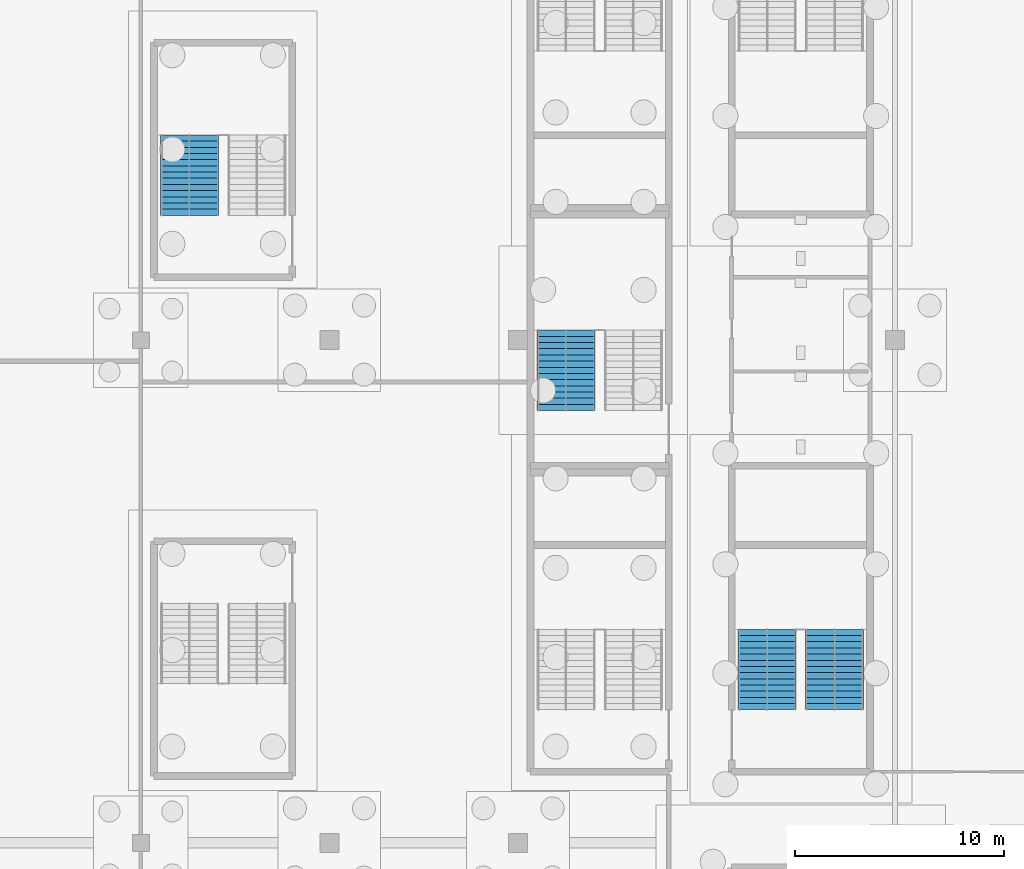
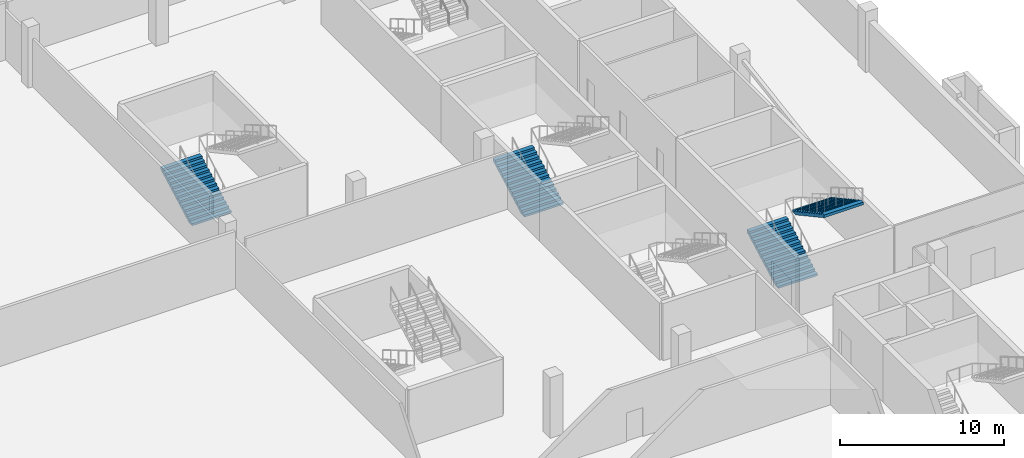
# One storey, part 36 of 46: 4 stair flights, 3 elements without a shape of their own.
"""IFC4 building model written with IfcOpenShell, lengths in metres."""

from ifc_helpers import new_model, si_unit, direction, frame, origin, place, context, subcontext, project, spatial, polygons, material, type_object, element, aggregate, save


model = new_model("IFC4")

# Units and contexts
model_context = context("Model", 3, precision=1e-05, world=origin(), true_north=direction((0.0, 1.0)))
body_context = subcontext(model_context, "Body", "Model", "MODEL_VIEW")
ifc_project = project(units=[si_unit("LENGTHUNIT", "METRE"), si_unit("AREAUNIT", "SQUARE_METRE"), si_unit("VOLUMEUNIT", "CUBIC_METRE"), si_unit("PLANEANGLEUNIT", "RADIAN"), si_unit("MASSUNIT", "GRAM", prefix="KILO")], contexts=[model_context])

# Site, building, storey
site_placement = place(None, origin())
site = spatial("IfcSite", under=ifc_project, at=site_placement, CompositionType="ELEMENT")
building_placement = place(site_placement, origin())
building = spatial("IfcBuilding", under=site, at=building_placement, Name="Kisiwana Market Hall", CompositionType="ELEMENT")
storey_placement = place(building_placement, frame((0.0, 0.0, -4.5)))
storey = spatial("IfcBuildingStorey", under=building, at=storey_placement, Name="B1", CompositionType="ELEMENT", Elevation=-4.5)

# Stair, stair flights
ifc_material_1 = material(Name="Concrete C32/40", Category="concrete")
stair_type = type_object("IfcStairType", Name="ST-ESC-4500", PredefinedType="TWO_STRAIGHT_RUN_STAIR", material=ifc_material_1)
stair_1_placement = place(storey_placement, origin())
stair_1 = element("IfcStair", 1, at=stair_1_placement, inside=storey, type_object=stair_type, Name="Escape stair ST-E3-B1", PredefinedType="TWO_STRAIGHT_RUN_STAIR")
ifc_material_2 = material(Name="Concrete C32/40", Category="concrete")
stair_flight_type = type_object("IfcStairFlightType", Name="SF-ESC-4500", PredefinedType="STRAIGHT", material=ifc_material_2)
stair_flight_1_placement = place(storey_placement, frame((182.889892578125, 42.360107421875, 0.0), z_axis=(0.0, 0.0, 1.0), x_axis=(0.0, 1.0, 0.0)))
stair_flight_1 = element("IfcStairFlight", 2, at=stair_flight_1_placement, type_object=stair_flight_type, Name="ST-E3-B1 flight 1", NumberOfRisers=14, NumberOfTreads=13, PredefinedType="STRAIGHT", RiserHeight=0.160714, TreadLength=0.295, context=body_context, shape_type="Tessellation", body=[
    polygons([(0.0, -1.380127, 0.0), (0.0, -0.690125, 0.0), (0.0, -0.000122, 0.0), (0.0, 0.68988, 0.0), (0.0, 1.379883, 0.0), (0.0, -1.380127, 0.160645), (0.0, -0.690125, 0.160645), (0.0, -0.000122, 0.160645), (0.0, 0.68988, 0.160645), (0.0, 1.379883, 0.160645), (0.294922, -1.380127, 0.160645), (0.294922, -0.690125, 0.160645), (0.294922, -0.000122, 0.160645), (0.294922, 0.68988, 0.160645), (0.294922, 1.379883, 0.160645), (0.294922, -1.380127, 0.321533), (0.294922, -0.690125, 0.321533), (0.294922, -0.000122, 0.321533), (0.294922, 0.68988, 0.321533), (0.294922, 1.379883, 0.321533), (0.590088, -1.380127, 0.321533), (0.590088, -0.690125, 0.321533), (0.590088, -0.000122, 0.321533), (0.590088, 0.68988, 0.321533), (0.590088, 1.379883, 0.321533), (0.590088, -1.380127, 0.482178), (0.590088, -0.690125, 0.482178), (0.590088, -0.000122, 0.482178), (0.590088, 0.68988, 0.482178), (0.590088, 1.379883, 0.482178), (0.88501, -1.380127, 0.482178), (0.88501, -0.690125, 0.482178), (0.88501, -0.000122, 0.482178), (0.88501, 0.68988, 0.482178), (0.88501, 1.379883, 0.482178), (0.88501, -1.380127, 0.642822), (0.88501, -0.690125, 0.642822), (0.88501, -0.000122, 0.642822), (0.88501, 0.68988, 0.642822), (0.88501, 1.379883, 0.642822), (1.179932, -1.380127, 0.642822), (1.179932, -0.690125, 0.642822), (1.179932, -0.000122, 0.642822), (1.179932, 0.68988, 0.642822), (1.179932, 1.379883, 0.642822), (1.179932, -1.380127, 0.803467), (1.179932, -0.690125, 0.803467), (1.179932, -0.000122, 0.803467), (1.179932, 0.68988, 0.803467), (1.179932, 1.379883, 0.803467), (1.475098, -1.380127, 0.803467), (1.475098, -0.690125, 0.803467), (1.475098, -0.000122, 0.803467), (1.475098, 0.68988, 0.803467), (1.475098, 1.379883, 0.803467), (1.475098, -1.380127, 0.964355), (1.475098, -0.690125, 0.964355), (1.475098, -0.000122, 0.964355), (1.475098, 0.68988, 0.964355), (1.475098, 1.379883, 0.964355), (1.77002, -1.380127, 0.964355), (1.77002, -0.690125, 0.964355), (1.77002, -0.000122, 0.964355), (1.77002, 0.68988, 0.964355), (1.77002, 1.379883, 0.964355), (1.77002, -1.380127, 1.125), (1.77002, -0.690125, 1.125), (1.77002, -0.000122, 1.125), (1.77002, 0.68988, 1.125), (1.77002, 1.379883, 1.125), (2.064941, -1.380127, 1.125), (2.064941, -0.690125, 1.125), (2.064941, -0.000122, 1.125), (2.064941, 0.68988, 1.125), (2.064941, 1.379883, 1.125), (2.064941, -1.380127, 1.285645), (2.064941, -0.690125, 1.285645), (2.064941, -0.000122, 1.285645), (2.064941, 0.68988, 1.285645), (2.064941, 1.379883, 1.285645), (2.360107, -1.380127, 1.285645), (2.360107, -0.690125, 1.285645), (2.360107, -0.000122, 1.285645), (2.360107, 0.68988, 1.285645), (2.360107, 1.379883, 1.285645), (2.360107, -1.380127, 1.446533), (2.360107, -0.690125, 1.446533), (2.360107, -0.000122, 1.446533), (2.360107, 0.68988, 1.446533), (2.360107, 1.379883, 1.446533), (2.655029, -1.380127, 1.446533), (2.655029, -0.690125, 1.446533), (2.655029, -0.000122, 1.446533), (2.655029, 0.68988, 1.446533), (2.655029, 1.379883, 1.446533), (2.655029, -1.380127, 1.607178), (2.655029, -0.690125, 1.607178), (2.655029, -0.000122, 1.607178), (2.655029, 0.68988, 1.607178), (2.655029, 1.379883, 1.607178), (2.949951, -1.380127, 1.607178), (2.949951, -0.690125, 1.607178), (2.949951, -0.000122, 1.607178), (2.949951, 0.68988, 1.607178), (2.949951, 1.379883, 1.607178), (2.949951, -1.380127, 1.767822), (2.949951, -0.690125, 1.767822), (2.949951, -0.000122, 1.767822), (2.949951, 0.68988, 1.767822), (2.949951, 1.379883, 1.767822), (3.245117, -1.380127, 1.767822), (3.245117, -0.690125, 1.767822), (3.245117, -0.000122, 1.767822), (3.245117, 0.68988, 1.767822), (3.245117, 1.379883, 1.767822), (3.245117, -1.380127, 1.928467), (3.245117, -0.690125, 1.928467), (3.245117, -0.000122, 1.928467), (3.245117, 0.68988, 1.928467), (3.245117, 1.379883, 1.928467), (3.540039, -1.380127, 1.928467), (3.540039, -0.690125, 1.928467), (3.540039, -0.000122, 1.928467), (3.540039, 0.68988, 1.928467), (3.540039, 1.379883, 1.928467), (3.540039, -1.380127, 2.089355), (3.540039, -0.690125, 2.089355), (3.540039, -0.000122, 2.089355), (3.540039, 0.68988, 2.089355), (3.540039, 1.379883, 2.089355), (3.834961, -1.380127, 2.089355), (3.834961, -0.690125, 2.089355), (3.834961, -0.000122, 2.089355), (3.834961, 0.68988, 2.089355), (3.834961, 1.379883, 2.089355), (3.834961, -1.380127, 1.884277), (3.834961, -0.690125, 1.884277), (3.834961, -0.000122, 1.884277), (3.834961, 0.68988, 1.884277), (3.834961, 1.379883, 1.884277), (0.376221, -1.380127, 0.0), (0.376221, -0.690125, 0.0), (0.376221, -0.000122, 0.0), (0.376221, 0.68988, 0.0), (0.376221, 1.379883, 0.0)], [[[1, 6, 7, 2]], [[2, 7, 8, 3]], [[3, 8, 9, 4]], [[4, 9, 10, 5]], [[6, 11, 12, 7]], [[7, 12, 13, 8]], [[8, 13, 14, 9]], [[9, 14, 15, 10]], [[11, 16, 17, 12]], [[12, 17, 18, 13]], [[13, 18, 19, 14]], [[14, 19, 20, 15]], [[16, 21, 22, 17]], [[17, 22, 23, 18]], [[18, 23, 24, 19]], [[19, 24, 25, 20]], [[21, 26, 27, 22]], [[22, 27, 28, 23]], [[23, 28, 29, 24]], [[24, 29, 30, 25]], [[26, 31, 32, 27]], [[27, 32, 33, 28]], [[28, 33, 34, 29]], [[29, 34, 35, 30]], [[31, 36, 37, 32]], [[32, 37, 38, 33]], [[33, 38, 39, 34]], [[34, 39, 40, 35]], [[36, 41, 42, 37]], [[37, 42, 43, 38]], [[38, 43, 44, 39]], [[39, 44, 45, 40]], [[41, 46, 47, 42]], [[42, 47, 48, 43]], [[43, 48, 49, 44]], [[44, 49, 50, 45]], [[46, 51, 52, 47]], [[47, 52, 53, 48]], [[48, 53, 54, 49]], [[49, 54, 55, 50]], [[51, 56, 57, 52]], [[52, 57, 58, 53]], [[53, 58, 59, 54]], [[54, 59, 60, 55]], [[56, 61, 62, 57]], [[57, 62, 63, 58]], [[58, 63, 64, 59]], [[59, 64, 65, 60]], [[61, 66, 67, 62]], [[62, 67, 68, 63]], [[63, 68, 69, 64]], [[64, 69, 70, 65]], [[66, 71, 72, 67]], [[67, 72, 73, 68]], [[68, 73, 74, 69]], [[69, 74, 75, 70]], [[71, 76, 77, 72]], [[72, 77, 78, 73]], [[73, 78, 79, 74]], [[74, 79, 80, 75]], [[76, 81, 82, 77]], [[77, 82, 83, 78]], [[78, 83, 84, 79]], [[79, 84, 85, 80]], [[81, 86, 87, 82]], [[82, 87, 88, 83]], [[83, 88, 89, 84]], [[84, 89, 90, 85]], [[86, 91, 92, 87]], [[87, 92, 93, 88]], [[88, 93, 94, 89]], [[89, 94, 95, 90]], [[91, 96, 97, 92]], [[92, 97, 98, 93]], [[93, 98, 99, 94]], [[94, 99, 100, 95]], [[96, 101, 102, 97]], [[97, 102, 103, 98]], [[98, 103, 104, 99]], [[99, 104, 105, 100]], [[101, 106, 107, 102]], [[102, 107, 108, 103]], [[103, 108, 109, 104]], [[104, 109, 110, 105]], [[106, 111, 112, 107]], [[107, 112, 113, 108]], [[108, 113, 114, 109]], [[109, 114, 115, 110]], [[111, 116, 117, 112]], [[112, 117, 118, 113]], [[113, 118, 119, 114]], [[114, 119, 120, 115]], [[116, 121, 122, 117]], [[117, 122, 123, 118]], [[118, 123, 124, 119]], [[119, 124, 125, 120]], [[121, 126, 127, 122]], [[122, 127, 128, 123]], [[123, 128, 129, 124]], [[124, 129, 130, 125]], [[126, 131, 132, 127]], [[127, 132, 133, 128]], [[128, 133, 134, 129]], [[129, 134, 135, 130]], [[131, 136, 137, 132]], [[132, 137, 138, 133]], [[133, 138, 139, 134]], [[134, 139, 140, 135]], [[136, 141, 142, 137]], [[137, 142, 143, 138]], [[138, 143, 144, 139]], [[139, 144, 145, 140]], [[141, 1, 2, 142]], [[142, 2, 3, 143]], [[143, 3, 4, 144]], [[144, 4, 5, 145]], [[141, 136, 131, 126, 121, 116, 111, 106, 101, 96, 91, 86, 81, 76, 71, 66, 61, 56, 51, 46, 41, 36, 31, 26, 21, 16, 11, 6, 1]], [[5, 10, 15, 20, 25, 30, 35, 40, 45, 50, 55, 60, 65, 70, 75, 80, 85, 90, 95, 100, 105, 110, 115, 120, 125, 130, 135, 140, 145]]], closed=True),
])
stair_flight_2_placement = place(storey_placement, frame((186.110107421875, 46.195068359375, 2.25), z_axis=(0.0, 0.0, 1.0), x_axis=(0.0, -1.0, 0.0)))
stair_flight_2 = element("IfcStairFlight", 3, at=stair_flight_2_placement, type_object=stair_flight_type, Name="ST-E3-B1 flight 2", NumberOfRisers=14, NumberOfTreads=13, PredefinedType="STRAIGHT", RiserHeight=0.160714, TreadLength=0.295, context=body_context, shape_type="Tessellation", body=[
    polygons([(0.0, -1.380127, 0.0), (0.0, -0.690125, 0.0), (0.0, -0.000122, 0.0), (0.0, 0.68988, 0.0), (0.0, 1.379883, 0.0), (0.0, -1.380127, 0.160645), (0.0, -0.690125, 0.160645), (0.0, -0.000122, 0.160645), (0.0, 0.68988, 0.160645), (0.0, 1.379883, 0.160645), (0.294922, -1.380127, 0.160645), (0.294922, -0.690125, 0.160645), (0.294922, -0.000122, 0.160645), (0.294922, 0.68988, 0.160645), (0.294922, 1.379883, 0.160645), (0.294922, -1.380127, 0.321533), (0.294922, -0.690125, 0.321533), (0.294922, -0.000122, 0.321533), (0.294922, 0.68988, 0.321533), (0.294922, 1.379883, 0.321533), (0.590088, -1.380127, 0.321533), (0.590088, -0.690125, 0.321533), (0.590088, -0.000122, 0.321533), (0.590088, 0.68988, 0.321533), (0.590088, 1.379883, 0.321533), (0.590088, -1.380127, 0.482178), (0.590088, -0.690125, 0.482178), (0.590088, -0.000122, 0.482178), (0.590088, 0.68988, 0.482178), (0.590088, 1.379883, 0.482178), (0.88501, -1.380127, 0.482178), (0.88501, -0.690125, 0.482178), (0.88501, -0.000122, 0.482178), (0.88501, 0.68988, 0.482178), (0.88501, 1.379883, 0.482178), (0.88501, -1.380127, 0.642822), (0.88501, -0.690125, 0.642822), (0.88501, -0.000122, 0.642822), (0.88501, 0.68988, 0.642822), (0.88501, 1.379883, 0.642822), (1.179932, -1.380127, 0.642822), (1.179932, -0.690125, 0.642822), (1.179932, -0.000122, 0.642822), (1.179932, 0.68988, 0.642822), (1.179932, 1.379883, 0.642822), (1.179932, -1.380127, 0.803467), (1.179932, -0.690125, 0.803467), (1.179932, -0.000122, 0.803467), (1.179932, 0.68988, 0.803467), (1.179932, 1.379883, 0.803467), (1.475098, -1.380127, 0.803467), (1.475098, -0.690125, 0.803467), (1.475098, -0.000122, 0.803467), (1.475098, 0.68988, 0.803467), (1.475098, 1.379883, 0.803467), (1.475098, -1.380127, 0.964355), (1.475098, -0.690125, 0.964355), (1.475098, -0.000122, 0.964355), (1.475098, 0.68988, 0.964355), (1.475098, 1.379883, 0.964355), (1.77002, -1.380127, 0.964355), (1.77002, -0.690125, 0.964355), (1.77002, -0.000122, 0.964355), (1.77002, 0.68988, 0.964355), (1.77002, 1.379883, 0.964355), (1.77002, -1.380127, 1.125), (1.77002, -0.690125, 1.125), (1.77002, -0.000122, 1.125), (1.77002, 0.68988, 1.125), (1.77002, 1.379883, 1.125), (2.064941, -1.380127, 1.125), (2.064941, -0.690125, 1.125), (2.064941, -0.000122, 1.125), (2.064941, 0.68988, 1.125), (2.064941, 1.379883, 1.125), (2.064941, -1.380127, 1.285645), (2.064941, -0.690125, 1.285645), (2.064941, -0.000122, 1.285645), (2.064941, 0.68988, 1.285645), (2.064941, 1.379883, 1.285645), (2.360107, -1.380127, 1.285645), (2.360107, -0.690125, 1.285645), (2.360107, -0.000122, 1.285645), (2.360107, 0.68988, 1.285645), (2.360107, 1.379883, 1.285645), (2.360107, -1.380127, 1.446533), (2.360107, -0.690125, 1.446533), (2.360107, -0.000122, 1.446533), (2.360107, 0.68988, 1.446533), (2.360107, 1.379883, 1.446533), (2.655029, -1.380127, 1.446533), (2.655029, -0.690125, 1.446533), (2.655029, -0.000122, 1.446533), (2.655029, 0.68988, 1.446533), (2.655029, 1.379883, 1.446533), (2.655029, -1.380127, 1.607178), (2.655029, -0.690125, 1.607178), (2.655029, -0.000122, 1.607178), (2.655029, 0.68988, 1.607178), (2.655029, 1.379883, 1.607178), (2.949951, -1.380127, 1.607178), (2.949951, -0.690125, 1.607178), (2.949951, -0.000122, 1.607178), (2.949951, 0.68988, 1.607178), (2.949951, 1.379883, 1.607178), (2.949951, -1.380127, 1.767822), (2.949951, -0.690125, 1.767822), (2.949951, -0.000122, 1.767822), (2.949951, 0.68988, 1.767822), (2.949951, 1.379883, 1.767822), (3.245117, -1.380127, 1.767822), (3.245117, -0.690125, 1.767822), (3.245117, -0.000122, 1.767822), (3.245117, 0.68988, 1.767822), (3.245117, 1.379883, 1.767822), (3.245117, -1.380127, 1.928467), (3.245117, -0.690125, 1.928467), (3.245117, -0.000122, 1.928467), (3.245117, 0.68988, 1.928467), (3.245117, 1.379883, 1.928467), (3.540039, -1.380127, 1.928467), (3.540039, -0.690125, 1.928467), (3.540039, -0.000122, 1.928467), (3.540039, 0.68988, 1.928467), (3.540039, 1.379883, 1.928467), (3.540039, -1.380127, 2.089355), (3.540039, -0.690125, 2.089355), (3.540039, -0.000122, 2.089355), (3.540039, 0.68988, 2.089355), (3.540039, 1.379883, 2.089355), (3.834961, -1.380127, 2.089355), (3.834961, -0.690125, 2.089355), (3.834961, -0.000122, 2.089355), (3.834961, 0.68988, 2.089355), (3.834961, 1.379883, 2.089355), (3.834961, -1.380127, 1.884277), (3.834961, -0.690125, 1.884277), (3.834961, -0.000122, 1.884277), (3.834961, 0.68988, 1.884277), (3.834961, 1.379883, 1.884277), (0.376221, -1.380127, 0.0), (0.376221, -0.690125, 0.0), (0.376221, -0.000122, 0.0), (0.376221, 0.68988, 0.0), (0.376221, 1.379883, 0.0)], [[[1, 6, 7, 2]], [[2, 7, 8, 3]], [[3, 8, 9, 4]], [[4, 9, 10, 5]], [[6, 11, 12, 7]], [[7, 12, 13, 8]], [[8, 13, 14, 9]], [[9, 14, 15, 10]], [[11, 16, 17, 12]], [[12, 17, 18, 13]], [[13, 18, 19, 14]], [[14, 19, 20, 15]], [[16, 21, 22, 17]], [[17, 22, 23, 18]], [[18, 23, 24, 19]], [[19, 24, 25, 20]], [[21, 26, 27, 22]], [[22, 27, 28, 23]], [[23, 28, 29, 24]], [[24, 29, 30, 25]], [[26, 31, 32, 27]], [[27, 32, 33, 28]], [[28, 33, 34, 29]], [[29, 34, 35, 30]], [[31, 36, 37, 32]], [[32, 37, 38, 33]], [[33, 38, 39, 34]], [[34, 39, 40, 35]], [[36, 41, 42, 37]], [[37, 42, 43, 38]], [[38, 43, 44, 39]], [[39, 44, 45, 40]], [[41, 46, 47, 42]], [[42, 47, 48, 43]], [[43, 48, 49, 44]], [[44, 49, 50, 45]], [[46, 51, 52, 47]], [[47, 52, 53, 48]], [[48, 53, 54, 49]], [[49, 54, 55, 50]], [[51, 56, 57, 52]], [[52, 57, 58, 53]], [[53, 58, 59, 54]], [[54, 59, 60, 55]], [[56, 61, 62, 57]], [[57, 62, 63, 58]], [[58, 63, 64, 59]], [[59, 64, 65, 60]], [[61, 66, 67, 62]], [[62, 67, 68, 63]], [[63, 68, 69, 64]], [[64, 69, 70, 65]], [[66, 71, 72, 67]], [[67, 72, 73, 68]], [[68, 73, 74, 69]], [[69, 74, 75, 70]], [[71, 76, 77, 72]], [[72, 77, 78, 73]], [[73, 78, 79, 74]], [[74, 79, 80, 75]], [[76, 81, 82, 77]], [[77, 82, 83, 78]], [[78, 83, 84, 79]], [[79, 84, 85, 80]], [[81, 86, 87, 82]], [[82, 87, 88, 83]], [[83, 88, 89, 84]], [[84, 89, 90, 85]], [[86, 91, 92, 87]], [[87, 92, 93, 88]], [[88, 93, 94, 89]], [[89, 94, 95, 90]], [[91, 96, 97, 92]], [[92, 97, 98, 93]], [[93, 98, 99, 94]], [[94, 99, 100, 95]], [[96, 101, 102, 97]], [[97, 102, 103, 98]], [[98, 103, 104, 99]], [[99, 104, 105, 100]], [[101, 106, 107, 102]], [[102, 107, 108, 103]], [[103, 108, 109, 104]], [[104, 109, 110, 105]], [[106, 111, 112, 107]], [[107, 112, 113, 108]], [[108, 113, 114, 109]], [[109, 114, 115, 110]], [[111, 116, 117, 112]], [[112, 117, 118, 113]], [[113, 118, 119, 114]], [[114, 119, 120, 115]], [[116, 121, 122, 117]], [[117, 122, 123, 118]], [[118, 123, 124, 119]], [[119, 124, 125, 120]], [[121, 126, 127, 122]], [[122, 127, 128, 123]], [[123, 128, 129, 124]], [[124, 129, 130, 125]], [[126, 131, 132, 127]], [[127, 132, 133, 128]], [[128, 133, 134, 129]], [[129, 134, 135, 130]], [[131, 136, 137, 132]], [[132, 137, 138, 133]], [[133, 138, 139, 134]], [[134, 139, 140, 135]], [[136, 141, 142, 137]], [[137, 142, 143, 138]], [[138, 143, 144, 139]], [[139, 144, 145, 140]], [[141, 1, 2, 142]], [[142, 2, 3, 143]], [[143, 3, 4, 144]], [[144, 4, 5, 145]], [[141, 136, 131, 126, 121, 116, 111, 106, 101, 96, 91, 86, 81, 76, 71, 66, 61, 56, 51, 46, 41, 36, 31, 26, 21, 16, 11, 6, 1]], [[5, 10, 15, 20, 25, 30, 35, 40, 45, 50, 55, 60, 65, 70, 75, 80, 85, 90, 95, 100, 105, 110, 115, 120, 125, 130, 135, 140, 145]]], closed=True),
])
aggregate(stair_1, [stair_flight_1, stair_flight_2])

# Stair, stair flight
stair_2_placement = place(storey_placement, origin())
stair_2 = element("IfcStair", 4, at=stair_2_placement, inside=storey, type_object=stair_type, Name="Escape stair ST-E10-B1", PredefinedType="TWO_STRAIGHT_RUN_STAIR")
stair_flight_3_placement = place(storey_placement, frame((155.320068359375, 65.9599609375, 0.0), z_axis=(0.0, 0.0, 1.0), x_axis=(0.0, 1.0, 0.0)))
stair_flight_3 = element("IfcStairFlight", 5, at=stair_flight_3_placement, type_object=stair_flight_type, Name="ST-E10-B1 flight 1", NumberOfRisers=14, NumberOfTreads=13, PredefinedType="STRAIGHT", RiserHeight=0.160714, TreadLength=0.295, context=body_context, shape_type="Tessellation", body=[
    polygons([(0.0, -1.380127, 0.0), (0.0, -0.690125, 0.0), (0.0, -0.000122, 0.0), (0.0, 0.68988, 0.0), (0.0, 1.379883, 0.0), (0.0, -1.380127, 0.160645), (0.0, -0.690125, 0.160645), (0.0, -0.000122, 0.160645), (0.0, 0.68988, 0.160645), (0.0, 1.379883, 0.160645), (0.294922, -1.380127, 0.160645), (0.294922, -0.690125, 0.160645), (0.294922, -0.000122, 0.160645), (0.294922, 0.68988, 0.160645), (0.294922, 1.379883, 0.160645), (0.294922, -1.380127, 0.321533), (0.294922, -0.690125, 0.321533), (0.294922, -0.000122, 0.321533), (0.294922, 0.68988, 0.321533), (0.294922, 1.379883, 0.321533), (0.590088, -1.380127, 0.321533), (0.590088, -0.690125, 0.321533), (0.590088, -0.000122, 0.321533), (0.590088, 0.68988, 0.321533), (0.590088, 1.379883, 0.321533), (0.590088, -1.380127, 0.482178), (0.590088, -0.690125, 0.482178), (0.590088, -0.000122, 0.482178), (0.590088, 0.68988, 0.482178), (0.590088, 1.379883, 0.482178), (0.88501, -1.380127, 0.482178), (0.88501, -0.690125, 0.482178), (0.88501, -0.000122, 0.482178), (0.88501, 0.68988, 0.482178), (0.88501, 1.379883, 0.482178), (0.88501, -1.380127, 0.642822), (0.88501, -0.690125, 0.642822), (0.88501, -0.000122, 0.642822), (0.88501, 0.68988, 0.642822), (0.88501, 1.379883, 0.642822), (1.179932, -1.380127, 0.642822), (1.179932, -0.690125, 0.642822), (1.179932, -0.000122, 0.642822), (1.179932, 0.68988, 0.642822), (1.179932, 1.379883, 0.642822), (1.179932, -1.380127, 0.803467), (1.179932, -0.690125, 0.803467), (1.179932, -0.000122, 0.803467), (1.179932, 0.68988, 0.803467), (1.179932, 1.379883, 0.803467), (1.475098, -1.380127, 0.803467), (1.475098, -0.690125, 0.803467), (1.475098, -0.000122, 0.803467), (1.475098, 0.68988, 0.803467), (1.475098, 1.379883, 0.803467), (1.475098, -1.380127, 0.964355), (1.475098, -0.690125, 0.964355), (1.475098, -0.000122, 0.964355), (1.475098, 0.68988, 0.964355), (1.475098, 1.379883, 0.964355), (1.77002, -1.380127, 0.964355), (1.77002, -0.690125, 0.964355), (1.77002, -0.000122, 0.964355), (1.77002, 0.68988, 0.964355), (1.77002, 1.379883, 0.964355), (1.77002, -1.380127, 1.125), (1.77002, -0.690125, 1.125), (1.77002, -0.000122, 1.125), (1.77002, 0.68988, 1.125), (1.77002, 1.379883, 1.125), (2.064941, -1.380127, 1.125), (2.064941, -0.690125, 1.125), (2.064941, -0.000122, 1.125), (2.064941, 0.68988, 1.125), (2.064941, 1.379883, 1.125), (2.064941, -1.380127, 1.285645), (2.064941, -0.690125, 1.285645), (2.064941, -0.000122, 1.285645), (2.064941, 0.68988, 1.285645), (2.064941, 1.379883, 1.285645), (2.360107, -1.380127, 1.285645), (2.360107, -0.690125, 1.285645), (2.360107, -0.000122, 1.285645), (2.360107, 0.68988, 1.285645), (2.360107, 1.379883, 1.285645), (2.360107, -1.380127, 1.446533), (2.360107, -0.690125, 1.446533), (2.360107, -0.000122, 1.446533), (2.360107, 0.68988, 1.446533), (2.360107, 1.379883, 1.446533), (2.655029, -1.380127, 1.446533), (2.655029, -0.690125, 1.446533), (2.655029, -0.000122, 1.446533), (2.655029, 0.68988, 1.446533), (2.655029, 1.379883, 1.446533), (2.655029, -1.380127, 1.607178), (2.655029, -0.690125, 1.607178), (2.655029, -0.000122, 1.607178), (2.655029, 0.68988, 1.607178), (2.655029, 1.379883, 1.607178), (2.949951, -1.380127, 1.607178), (2.949951, -0.690125, 1.607178), (2.949951, -0.000122, 1.607178), (2.949951, 0.68988, 1.607178), (2.949951, 1.379883, 1.607178), (2.949951, -1.380127, 1.767822), (2.949951, -0.690125, 1.767822), (2.949951, -0.000122, 1.767822), (2.949951, 0.68988, 1.767822), (2.949951, 1.379883, 1.767822), (3.245117, -1.380127, 1.767822), (3.245117, -0.690125, 1.767822), (3.245117, -0.000122, 1.767822), (3.245117, 0.68988, 1.767822), (3.245117, 1.379883, 1.767822), (3.245117, -1.380127, 1.928467), (3.245117, -0.690125, 1.928467), (3.245117, -0.000122, 1.928467), (3.245117, 0.68988, 1.928467), (3.245117, 1.379883, 1.928467), (3.540039, -1.380127, 1.928467), (3.540039, -0.690125, 1.928467), (3.540039, -0.000122, 1.928467), (3.540039, 0.68988, 1.928467), (3.540039, 1.379883, 1.928467), (3.540039, -1.380127, 2.089355), (3.540039, -0.690125, 2.089355), (3.540039, -0.000122, 2.089355), (3.540039, 0.68988, 2.089355), (3.540039, 1.379883, 2.089355), (3.834961, -1.380127, 2.089355), (3.834961, -0.690125, 2.089355), (3.834961, -0.000122, 2.089355), (3.834961, 0.68988, 2.089355), (3.834961, 1.379883, 2.089355), (3.834961, -1.380127, 1.884277), (3.834961, -0.690125, 1.884277), (3.834961, -0.000122, 1.884277), (3.834961, 0.68988, 1.884277), (3.834961, 1.379883, 1.884277), (0.376221, -1.380127, 0.0), (0.376221, -0.690125, 0.0), (0.376221, -0.000122, 0.0), (0.376221, 0.68988, 0.0), (0.376221, 1.379883, 0.0)], [[[1, 6, 7, 2]], [[2, 7, 8, 3]], [[3, 8, 9, 4]], [[4, 9, 10, 5]], [[6, 11, 12, 7]], [[7, 12, 13, 8]], [[8, 13, 14, 9]], [[9, 14, 15, 10]], [[11, 16, 17, 12]], [[12, 17, 18, 13]], [[13, 18, 19, 14]], [[14, 19, 20, 15]], [[16, 21, 22, 17]], [[17, 22, 23, 18]], [[18, 23, 24, 19]], [[19, 24, 25, 20]], [[21, 26, 27, 22]], [[22, 27, 28, 23]], [[23, 28, 29, 24]], [[24, 29, 30, 25]], [[26, 31, 32, 27]], [[27, 32, 33, 28]], [[28, 33, 34, 29]], [[29, 34, 35, 30]], [[31, 36, 37, 32]], [[32, 37, 38, 33]], [[33, 38, 39, 34]], [[34, 39, 40, 35]], [[36, 41, 42, 37]], [[37, 42, 43, 38]], [[38, 43, 44, 39]], [[39, 44, 45, 40]], [[41, 46, 47, 42]], [[42, 47, 48, 43]], [[43, 48, 49, 44]], [[44, 49, 50, 45]], [[46, 51, 52, 47]], [[47, 52, 53, 48]], [[48, 53, 54, 49]], [[49, 54, 55, 50]], [[51, 56, 57, 52]], [[52, 57, 58, 53]], [[53, 58, 59, 54]], [[54, 59, 60, 55]], [[56, 61, 62, 57]], [[57, 62, 63, 58]], [[58, 63, 64, 59]], [[59, 64, 65, 60]], [[61, 66, 67, 62]], [[62, 67, 68, 63]], [[63, 68, 69, 64]], [[64, 69, 70, 65]], [[66, 71, 72, 67]], [[67, 72, 73, 68]], [[68, 73, 74, 69]], [[69, 74, 75, 70]], [[71, 76, 77, 72]], [[72, 77, 78, 73]], [[73, 78, 79, 74]], [[74, 79, 80, 75]], [[76, 81, 82, 77]], [[77, 82, 83, 78]], [[78, 83, 84, 79]], [[79, 84, 85, 80]], [[81, 86, 87, 82]], [[82, 87, 88, 83]], [[83, 88, 89, 84]], [[84, 89, 90, 85]], [[86, 91, 92, 87]], [[87, 92, 93, 88]], [[88, 93, 94, 89]], [[89, 94, 95, 90]], [[91, 96, 97, 92]], [[92, 97, 98, 93]], [[93, 98, 99, 94]], [[94, 99, 100, 95]], [[96, 101, 102, 97]], [[97, 102, 103, 98]], [[98, 103, 104, 99]], [[99, 104, 105, 100]], [[101, 106, 107, 102]], [[102, 107, 108, 103]], [[103, 108, 109, 104]], [[104, 109, 110, 105]], [[106, 111, 112, 107]], [[107, 112, 113, 108]], [[108, 113, 114, 109]], [[109, 114, 115, 110]], [[111, 116, 117, 112]], [[112, 117, 118, 113]], [[113, 118, 119, 114]], [[114, 119, 120, 115]], [[116, 121, 122, 117]], [[117, 122, 123, 118]], [[118, 123, 124, 119]], [[119, 124, 125, 120]], [[121, 126, 127, 122]], [[122, 127, 128, 123]], [[123, 128, 129, 124]], [[124, 129, 130, 125]], [[126, 131, 132, 127]], [[127, 132, 133, 128]], [[128, 133, 134, 129]], [[129, 134, 135, 130]], [[131, 136, 137, 132]], [[132, 137, 138, 133]], [[133, 138, 139, 134]], [[134, 139, 140, 135]], [[136, 141, 142, 137]], [[137, 142, 143, 138]], [[138, 143, 144, 139]], [[139, 144, 145, 140]], [[141, 1, 2, 142]], [[142, 2, 3, 143]], [[143, 3, 4, 144]], [[144, 4, 5, 145]], [[141, 136, 131, 126, 121, 116, 111, 106, 101, 96, 91, 86, 81, 76, 71, 66, 61, 56, 51, 46, 41, 36, 31, 26, 21, 16, 11, 6, 1]], [[5, 10, 15, 20, 25, 30, 35, 40, 45, 50, 55, 60, 65, 70, 75, 80, 85, 90, 95, 100, 105, 110, 115, 120, 125, 130, 135, 140, 145]]], closed=True),
])
aggregate(stair_2, [stair_flight_3])

stair_3_placement = place(storey_placement, origin())
stair_3 = element("IfcStair", 6, at=stair_3_placement, inside=storey, type_object=stair_type, Name="Escape stair ST-E5-B1", PredefinedType="TWO_STRAIGHT_RUN_STAIR")
stair_flight_4_placement = place(storey_placement, frame((173.2900390625, 56.639892578125, 0.0), z_axis=(0.0, 0.0, 1.0), x_axis=(0.0, 1.0, 0.0)))
stair_flight_4 = element("IfcStairFlight", 7, at=stair_flight_4_placement, type_object=stair_flight_type, Name="ST-E5-B1 flight 1", NumberOfRisers=14, NumberOfTreads=13, PredefinedType="STRAIGHT", RiserHeight=0.160714, TreadLength=0.295, context=body_context, shape_type="Tessellation", body=[
    polygons([(0.0, -1.380127, 0.0), (0.0, -0.690125, 0.0), (0.0, -0.000122, 0.0), (0.0, 0.68988, 0.0), (0.0, 1.379883, 0.0), (0.0, -1.380127, 0.160645), (0.0, -0.690125, 0.160645), (0.0, -0.000122, 0.160645), (0.0, 0.68988, 0.160645), (0.0, 1.379883, 0.160645), (0.294922, -1.380127, 0.160645), (0.294922, -0.690125, 0.160645), (0.294922, -0.000122, 0.160645), (0.294922, 0.68988, 0.160645), (0.294922, 1.379883, 0.160645), (0.294922, -1.380127, 0.321533), (0.294922, -0.690125, 0.321533), (0.294922, -0.000122, 0.321533), (0.294922, 0.68988, 0.321533), (0.294922, 1.379883, 0.321533), (0.590088, -1.380127, 0.321533), (0.590088, -0.690125, 0.321533), (0.590088, -0.000122, 0.321533), (0.590088, 0.68988, 0.321533), (0.590088, 1.379883, 0.321533), (0.590088, -1.380127, 0.482178), (0.590088, -0.690125, 0.482178), (0.590088, -0.000122, 0.482178), (0.590088, 0.68988, 0.482178), (0.590088, 1.379883, 0.482178), (0.88501, -1.380127, 0.482178), (0.88501, -0.690125, 0.482178), (0.88501, -0.000122, 0.482178), (0.88501, 0.68988, 0.482178), (0.88501, 1.379883, 0.482178), (0.88501, -1.380127, 0.642822), (0.88501, -0.690125, 0.642822), (0.88501, -0.000122, 0.642822), (0.88501, 0.68988, 0.642822), (0.88501, 1.379883, 0.642822), (1.179932, -1.380127, 0.642822), (1.179932, -0.690125, 0.642822), (1.179932, -0.000122, 0.642822), (1.179932, 0.68988, 0.642822), (1.179932, 1.379883, 0.642822), (1.179932, -1.380127, 0.803467), (1.179932, -0.690125, 0.803467), (1.179932, -0.000122, 0.803467), (1.179932, 0.68988, 0.803467), (1.179932, 1.379883, 0.803467), (1.475098, -1.380127, 0.803467), (1.475098, -0.690125, 0.803467), (1.475098, -0.000122, 0.803467), (1.475098, 0.68988, 0.803467), (1.475098, 1.379883, 0.803467), (1.475098, -1.380127, 0.964355), (1.475098, -0.690125, 0.964355), (1.475098, -0.000122, 0.964355), (1.475098, 0.68988, 0.964355), (1.475098, 1.379883, 0.964355), (1.77002, -1.380127, 0.964355), (1.77002, -0.690125, 0.964355), (1.77002, -0.000122, 0.964355), (1.77002, 0.68988, 0.964355), (1.77002, 1.379883, 0.964355), (1.77002, -1.380127, 1.125), (1.77002, -0.690125, 1.125), (1.77002, -0.000122, 1.125), (1.77002, 0.68988, 1.125), (1.77002, 1.379883, 1.125), (2.064941, -1.380127, 1.125), (2.064941, -0.690125, 1.125), (2.064941, -0.000122, 1.125), (2.064941, 0.68988, 1.125), (2.064941, 1.379883, 1.125), (2.064941, -1.380127, 1.285645), (2.064941, -0.690125, 1.285645), (2.064941, -0.000122, 1.285645), (2.064941, 0.68988, 1.285645), (2.064941, 1.379883, 1.285645), (2.360107, -1.380127, 1.285645), (2.360107, -0.690125, 1.285645), (2.360107, -0.000122, 1.285645), (2.360107, 0.68988, 1.285645), (2.360107, 1.379883, 1.285645), (2.360107, -1.380127, 1.446533), (2.360107, -0.690125, 1.446533), (2.360107, -0.000122, 1.446533), (2.360107, 0.68988, 1.446533), (2.360107, 1.379883, 1.446533), (2.655029, -1.380127, 1.446533), (2.655029, -0.690125, 1.446533), (2.655029, -0.000122, 1.446533), (2.655029, 0.68988, 1.446533), (2.655029, 1.379883, 1.446533), (2.655029, -1.380127, 1.607178), (2.655029, -0.690125, 1.607178), (2.655029, -0.000122, 1.607178), (2.655029, 0.68988, 1.607178), (2.655029, 1.379883, 1.607178), (2.949951, -1.380127, 1.607178), (2.949951, -0.690125, 1.607178), (2.949951, -0.000122, 1.607178), (2.949951, 0.68988, 1.607178), (2.949951, 1.379883, 1.607178), (2.949951, -1.380127, 1.767822), (2.949951, -0.690125, 1.767822), (2.949951, -0.000122, 1.767822), (2.949951, 0.68988, 1.767822), (2.949951, 1.379883, 1.767822), (3.245117, -1.380127, 1.767822), (3.245117, -0.690125, 1.767822), (3.245117, -0.000122, 1.767822), (3.245117, 0.68988, 1.767822), (3.245117, 1.379883, 1.767822), (3.245117, -1.380127, 1.928467), (3.245117, -0.690125, 1.928467), (3.245117, -0.000122, 1.928467), (3.245117, 0.68988, 1.928467), (3.245117, 1.379883, 1.928467), (3.540039, -1.380127, 1.928467), (3.540039, -0.690125, 1.928467), (3.540039, -0.000122, 1.928467), (3.540039, 0.68988, 1.928467), (3.540039, 1.379883, 1.928467), (3.540039, -1.380127, 2.089355), (3.540039, -0.690125, 2.089355), (3.540039, -0.000122, 2.089355), (3.540039, 0.68988, 2.089355), (3.540039, 1.379883, 2.089355), (3.834961, -1.380127, 2.089355), (3.834961, -0.690125, 2.089355), (3.834961, -0.000122, 2.089355), (3.834961, 0.68988, 2.089355), (3.834961, 1.379883, 2.089355), (3.834961, -1.380127, 1.884277), (3.834961, -0.690125, 1.884277), (3.834961, -0.000122, 1.884277), (3.834961, 0.68988, 1.884277), (3.834961, 1.379883, 1.884277), (0.376221, -1.380127, 0.0), (0.376221, -0.690125, 0.0), (0.376221, -0.000122, 0.0), (0.376221, 0.68988, 0.0), (0.376221, 1.379883, 0.0)], [[[1, 6, 7, 2]], [[2, 7, 8, 3]], [[3, 8, 9, 4]], [[4, 9, 10, 5]], [[6, 11, 12, 7]], [[7, 12, 13, 8]], [[8, 13, 14, 9]], [[9, 14, 15, 10]], [[11, 16, 17, 12]], [[12, 17, 18, 13]], [[13, 18, 19, 14]], [[14, 19, 20, 15]], [[16, 21, 22, 17]], [[17, 22, 23, 18]], [[18, 23, 24, 19]], [[19, 24, 25, 20]], [[21, 26, 27, 22]], [[22, 27, 28, 23]], [[23, 28, 29, 24]], [[24, 29, 30, 25]], [[26, 31, 32, 27]], [[27, 32, 33, 28]], [[28, 33, 34, 29]], [[29, 34, 35, 30]], [[31, 36, 37, 32]], [[32, 37, 38, 33]], [[33, 38, 39, 34]], [[34, 39, 40, 35]], [[36, 41, 42, 37]], [[37, 42, 43, 38]], [[38, 43, 44, 39]], [[39, 44, 45, 40]], [[41, 46, 47, 42]], [[42, 47, 48, 43]], [[43, 48, 49, 44]], [[44, 49, 50, 45]], [[46, 51, 52, 47]], [[47, 52, 53, 48]], [[48, 53, 54, 49]], [[49, 54, 55, 50]], [[51, 56, 57, 52]], [[52, 57, 58, 53]], [[53, 58, 59, 54]], [[54, 59, 60, 55]], [[56, 61, 62, 57]], [[57, 62, 63, 58]], [[58, 63, 64, 59]], [[59, 64, 65, 60]], [[61, 66, 67, 62]], [[62, 67, 68, 63]], [[63, 68, 69, 64]], [[64, 69, 70, 65]], [[66, 71, 72, 67]], [[67, 72, 73, 68]], [[68, 73, 74, 69]], [[69, 74, 75, 70]], [[71, 76, 77, 72]], [[72, 77, 78, 73]], [[73, 78, 79, 74]], [[74, 79, 80, 75]], [[76, 81, 82, 77]], [[77, 82, 83, 78]], [[78, 83, 84, 79]], [[79, 84, 85, 80]], [[81, 86, 87, 82]], [[82, 87, 88, 83]], [[83, 88, 89, 84]], [[84, 89, 90, 85]], [[86, 91, 92, 87]], [[87, 92, 93, 88]], [[88, 93, 94, 89]], [[89, 94, 95, 90]], [[91, 96, 97, 92]], [[92, 97, 98, 93]], [[93, 98, 99, 94]], [[94, 99, 100, 95]], [[96, 101, 102, 97]], [[97, 102, 103, 98]], [[98, 103, 104, 99]], [[99, 104, 105, 100]], [[101, 106, 107, 102]], [[102, 107, 108, 103]], [[103, 108, 109, 104]], [[104, 109, 110, 105]], [[106, 111, 112, 107]], [[107, 112, 113, 108]], [[108, 113, 114, 109]], [[109, 114, 115, 110]], [[111, 116, 117, 112]], [[112, 117, 118, 113]], [[113, 118, 119, 114]], [[114, 119, 120, 115]], [[116, 121, 122, 117]], [[117, 122, 123, 118]], [[118, 123, 124, 119]], [[119, 124, 125, 120]], [[121, 126, 127, 122]], [[122, 127, 128, 123]], [[123, 128, 129, 124]], [[124, 129, 130, 125]], [[126, 131, 132, 127]], [[127, 132, 133, 128]], [[128, 133, 134, 129]], [[129, 134, 135, 130]], [[131, 136, 137, 132]], [[132, 137, 138, 133]], [[133, 138, 139, 134]], [[134, 139, 140, 135]], [[136, 141, 142, 137]], [[137, 142, 143, 138]], [[138, 143, 144, 139]], [[139, 144, 145, 140]], [[141, 1, 2, 142]], [[142, 2, 3, 143]], [[143, 3, 4, 144]], [[144, 4, 5, 145]], [[141, 136, 131, 126, 121, 116, 111, 106, 101, 96, 91, 86, 81, 76, 71, 66, 61, 56, 51, 46, 41, 36, 31, 26, 21, 16, 11, 6, 1]], [[5, 10, 15, 20, 25, 30, 35, 40, 45, 50, 55, 60, 65, 70, 75, 80, 85, 90, 95, 100, 105, 110, 115, 120, 125, 130, 135, 140, 145]]], closed=True),
])
aggregate(stair_3, [stair_flight_4])

save(model, "model.ifc")
